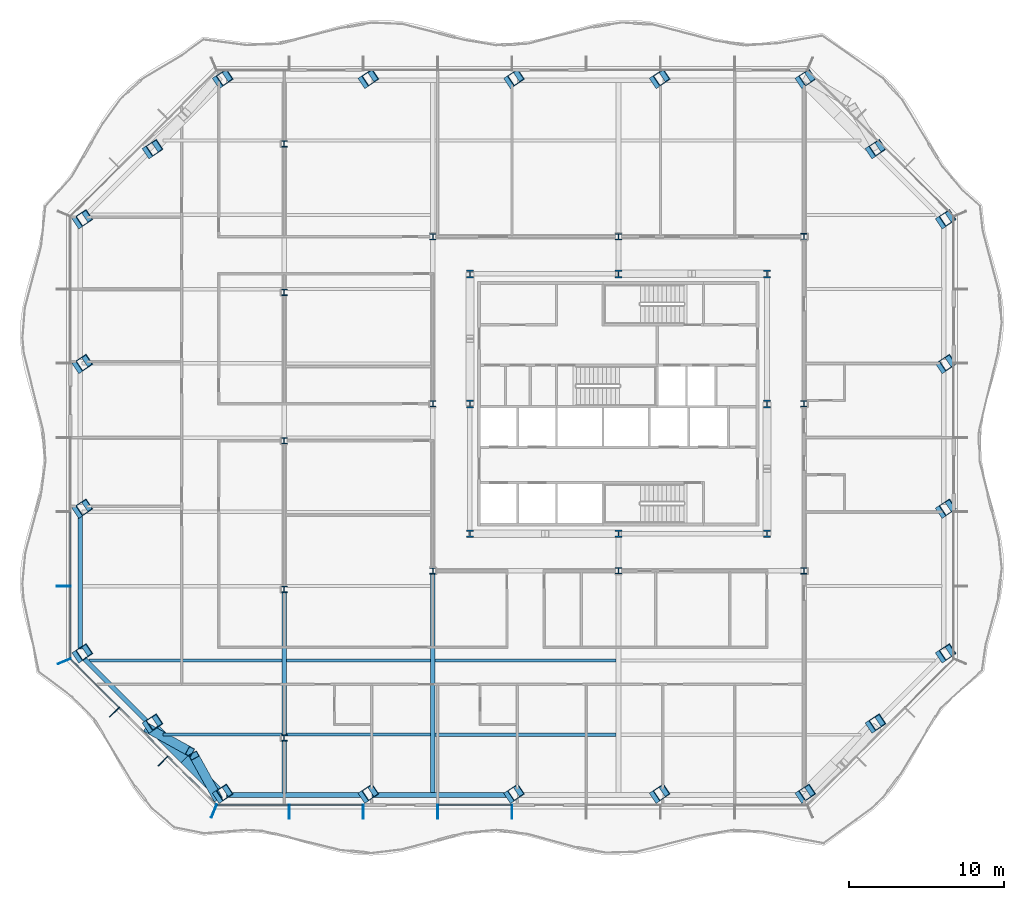
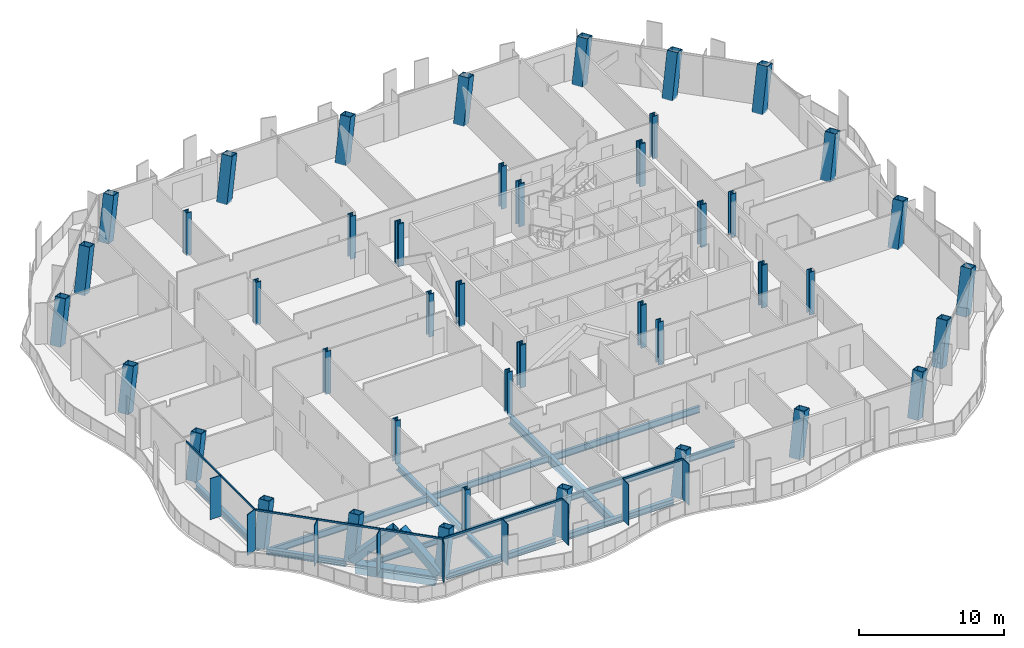
# One storey, part 1 of 19: 43 columns, 19 members, 15 beams, 3 elements without a shape of their own.
"""IFC4 building model written with IfcOpenShell, lengths in metres."""

from ifc_helpers import new_model, si_unit, direction, frame, origin, origin_2d, place, context, subcontext, project, spatial, rectangle, hollow_rectangle, i_section, extrude, clip, halfspace, material, material_profile, profile_set, type_object, element, aggregate, save


model = new_model("IFC4")

# Units and contexts
model_context = context("Model", 3, precision=1e-05, world=origin(), true_north=direction((0.0, 1.0)))
body_context = subcontext(model_context, "Body", "Model", "MODEL_VIEW")
ifc_project = project(units=[si_unit("LENGTHUNIT", "METRE"), si_unit("AREAUNIT", "SQUARE_METRE"), si_unit("VOLUMEUNIT", "CUBIC_METRE"), si_unit("PLANEANGLEUNIT", "RADIAN"), si_unit("MASSUNIT", "GRAM", prefix="KILO")], contexts=[model_context])

# Site, building, storey
site_placement = place(None, origin())
site = spatial("IfcSite", under=ifc_project, at=site_placement, CompositionType="ELEMENT")
building_placement = place(site_placement, origin())
building = spatial("IfcBuilding", under=site, at=building_placement, Name="Cairn Pilgrim Tower", CompositionType="ELEMENT")
storey_placement = place(building_placement, frame((0.0, 0.0, 90.60009765625)))
storey = spatial("IfcBuildingStorey", under=building, at=storey_placement, Name="L21", CompositionType="ELEMENT", Elevation=90.60009765625)

# Columns
ifc_material_1 = material(Name="Structural steel S460M", Category="steel")
ifc_material_profile_1 = material_profile(ifc_material_1, hollow_rectangle(XDim=0.800048828125, YDim=0.800048828125, WallThickness=0.050048828125, at=origin_2d()), Name="BOX 800x800x50")
ifc_profile_set_1 = profile_set([ifc_material_profile_1], Name="Structural steel S460M")
column_type_1 = type_object("IfcColumnType", Name="BOX 800x800x50", PredefinedType="COLUMN", material=ifc_profile_set_1)
for number, where, z_axis, x_axis, name in (
    (1, (-18.506591796875, -22.88623046875, -0.150146484375), (0.186190455954, 0.124126970636, 0.974641272096), (-0.554700196225, 0.832050294338, 0.0), "PC1-S1"),
    (2, (-9.093017578125, -22.88623046875, -0.150146484375), (0.186190455954, 0.124126970636, 0.974641272096), (-0.554700196225, 0.832050294338, 0.0), "PC1-S2"),
    (3, (0.320556640625, -22.88623046875, -0.150146484375), (0.186190455954, 0.124126970636, 0.974641272096), (-0.554700196225, 0.832050294338, 0.0), "PC1-S3"),
):
    element("IfcColumn", number, at=place(storey_placement, frame(where, z_axis=z_axis, x_axis=x_axis)), inside=storey, type_object=column_type_1, Name=name, PredefinedType="COLUMN", context=body_context, shape_type="Clipping", body=[
        clip(clip(extrude(hollow_rectangle(XDim=0.800048828125, YDim=0.800048828125, WallThickness=0.050048828125, at=origin_2d()), origin(), (0.0, 0.0, 1.0), 3.69384765625), halfspace(frame((0.0, 0.0, 0.023681640625), z_axis=(0.0, 0.0, 1.0), x_axis=(1.0, 0.0, 0.0)), True)), halfspace(frame((0.0, 0.0, 3.669677734375), z_axis=(0.0, 0.0, 1.0), x_axis=(1.0, 0.0, 0.0)), False)),
    ])
for number, where, z_axis, x_axis, name in (
    (4, (9.734130859375, -22.88623046875, -0.150146484375), (0.186254258756, 0.124125442847, 0.974629275947), (-0.554563898811, 0.832141143157, 0.0), "PC1-S4"),
    (5, (19.147705078125, -22.88623046875, -0.150146484375), (0.186254258756, 0.124125442847, 0.974629275947), (-0.554563898811, 0.832141143157, 0.0), "PC1-SE1"),
    (6, (23.68408203125, -18.349853515625, -0.150146484375), (0.186254258756, 0.124125442847, 0.974629275947), (-0.554563898811, 0.832141143157, 0.0), "PC1-SE2"),
    (7, (28.220458984375, -13.8134765625, -0.150146484375), (0.186254258756, 0.124125442847, 0.974629275947), (-0.554563898811, 0.832141143157, 0.0), "PC1-E1"),
    (8, (28.220458984375, -4.462158203125, -0.150146484375), (0.186252730337, 0.124190518205, 0.974621278051), (-0.554768328192, 0.832004868997, 0.0), "PC1-E2"),
    (9, (28.220458984375, 4.889404296875, -0.150146484375), (0.186254258756, 0.124125442847, 0.974629275947), (-0.554563898811, 0.832141143157, 0.0), "PC1-E3"),
    (10, (28.220458984375, 14.240966796875, -0.150146484375), (0.186254258756, 0.124125442847, 0.974629275947), (-0.554563898811, 0.832141143157, 0.0), "PC1-NE1"),
    (11, (23.68408203125, 18.77734375, -0.150146484375), (0.186254258756, 0.124125442847, 0.974629275947), (-0.554563898811, 0.832141143157, 0.0), "PC1-NE2"),
    (12, (19.147705078125, 23.313720703125, -0.150146484375), (0.186254258756, 0.124125442847, 0.974629275947), (-0.554563898811, 0.832141143157, 0.0), "PC1-N1"),
    (13, (9.734130859375, 23.313720703125, -0.150146484375), (0.186254258756, 0.124125442847, 0.974629275947), (-0.554563898811, 0.832141143157, 0.0), "PC1-N2"),
):
    element("IfcColumn", number, at=place(storey_placement, frame(where, z_axis=z_axis, x_axis=x_axis)), inside=storey, type_object=column_type_1, Name=name, PredefinedType="COLUMN", context=body_context, shape_type="Clipping", body=[
        clip(clip(extrude(hollow_rectangle(XDim=0.800048828125, YDim=0.800048828125, WallThickness=0.050048828125, at=origin_2d()), origin(), (0.0, 0.0, 1.0), 3.69384765625), halfspace(frame((0.0, 0.0, 0.023681640625), z_axis=(0.0, 0.0, 1.0), x_axis=(1.0, 0.0, 0.0)), True)), halfspace(frame((0.0, 0.0, 3.669921875), z_axis=(0.0, 0.0, 1.0), x_axis=(1.0, 0.0, 0.0)), False)),
    ])
for number, where, z_axis, x_axis, name in (
    (14, (0.320556640625, 23.313720703125, -0.150146484375), (0.186190455954, 0.124126970636, 0.974641272096), (-0.554700196225, 0.832050294338, 0.0), "PC1-N3"),
    (15, (-9.093017578125, 23.313720703125, -0.150146484375), (0.186190455954, 0.124126970636, 0.974641272096), (-0.554700196225, 0.832050294338, 0.0), "PC1-N4"),
    (16, (-18.506591796875, 23.313720703125, -0.150146484375), (0.186190455954, 0.124126970636, 0.974641272096), (-0.554700196225, 0.832050294338, 0.0), "PC1-NW1"),
):
    element("IfcColumn", number, at=place(storey_placement, frame(where, z_axis=z_axis, x_axis=x_axis)), inside=storey, type_object=column_type_1, Name=name, PredefinedType="COLUMN", context=body_context, shape_type="Clipping", body=[
        clip(clip(extrude(hollow_rectangle(XDim=0.800048828125, YDim=0.800048828125, WallThickness=0.050048828125, at=origin_2d()), origin(), (0.0, 0.0, 1.0), 3.69384765625), halfspace(frame((0.0, 0.0, 0.023681640625), z_axis=(0.0, 0.0, 1.0), x_axis=(1.0, 0.0, 0.0)), True)), halfspace(frame((0.0, 0.0, 3.669677734375), z_axis=(0.0, 0.0, 1.0), x_axis=(1.0, 0.0, 0.0)), False)),
    ])
for number, where, z_axis, x_axis, name in (
    (17, (-23.043212890625, 18.77734375, -0.150146484375), (0.186254258756, 0.124125442847, 0.974629275947), (-0.554563898811, 0.832141143157, 0.0), "PC1-NW2"),
    (18, (-27.57958984375, 14.240966796875, -0.150146484375), (0.186254258756, 0.124125442847, 0.974629275947), (-0.554563898811, 0.832141143157, 0.0), "PC1-W1"),
    (19, (-27.57958984375, 4.889404296875, -0.150146484375), (0.186254258756, 0.124125442847, 0.974629275947), (-0.554563898811, 0.832141143157, 0.0), "PC1-W2"),
    (20, (-27.57958984375, -4.462158203125, -0.150146484375), (0.186252730337, 0.124190518205, 0.974621278051), (-0.554768328192, 0.832004868997, 0.0), "PC1-W3"),
    (21, (-27.57958984375, -13.8134765625, -0.150146484375), (0.186254258756, 0.124125442847, 0.974629275947), (-0.554563898811, 0.832141143157, 0.0), "PC1-SW1"),
    (22, (-23.043212890625, -18.349853515625, -0.150146484375), (0.186254258756, 0.124125442847, 0.974629275947), (-0.554563898811, 0.832141143157, 0.0), "PC1-SW2"),
):
    element("IfcColumn", number, at=place(storey_placement, frame(where, z_axis=z_axis, x_axis=x_axis)), inside=storey, type_object=column_type_1, Name=name, PredefinedType="COLUMN", context=body_context, shape_type="Clipping", body=[
        clip(clip(extrude(hollow_rectangle(XDim=0.800048828125, YDim=0.800048828125, WallThickness=0.050048828125, at=origin_2d()), origin(), (0.0, 0.0, 1.0), 3.69384765625), halfspace(frame((0.0, 0.0, 0.023681640625), z_axis=(0.0, 0.0, 1.0), x_axis=(1.0, 0.0, 0.0)), True)), halfspace(frame((0.0, 0.0, 3.669921875), z_axis=(0.0, 0.0, 1.0), x_axis=(1.0, 0.0, 0.0)), False)),
    ])
ifc_material_profile_2 = material_profile(ifc_material_1, i_section(OverallWidth=0.408935546875, OverallDepth=0.425048828125, WebThickness=0.03271484375, FlangeThickness=0.052490234375, FilletRadius=0.014892578125, at=origin_2d()), Name="HD 400x421")
ifc_profile_set_2 = profile_set([ifc_material_profile_2], Name="Structural steel S460M")
column_type_2 = type_object("IfcColumnType", Name="HD 400x421", PredefinedType="COLUMN", material=ifc_profile_set_2)
for number, where, z_axis, x_axis, name in (
    (23, (-4.800048828125, -8.39990234375, -0.150146484375), (0.0, 0.0, 1.0), (1.0, 0.0, 0.0), "IC-1"),
    (24, (7.199951171875, -8.39990234375, -0.150146484375), (0.0, 0.0, 1.0), (1.0, 0.0, 0.0), "IC-2"),
    (25, (19.199951171875, -8.39990234375, -0.150146484375), (0.0, 0.0, 1.0), (1.0, 0.0, 0.0), "IC-3"),
    (26, (-4.800048828125, 2.39990234375, -0.150146484375), (0.0, 0.0, 1.0), (1.0, 0.0, 0.0), "IC-4"),
    (27, (19.199951171875, 2.39990234375, -0.150146484375), (0.0, 0.0, 1.0), (1.0, 0.0, 0.0), "IC-5"),
    (28, (-4.800048828125, 13.199951171875, -0.150146484375), (0.0, 0.0, 1.0), (1.0, 0.0, 0.0), "IC-6"),
    (29, (7.199951171875, 13.199951171875, -0.150146484375), (0.0, 0.0, 1.0), (1.0, 0.0, 0.0), "IC-7"),
    (30, (19.199951171875, 13.199951171875, -0.150146484375), (0.0, 0.0, 1.0), (1.0, 0.0, 0.0), "IC-8"),
    (31, (-14.39990234375, -19.199951171875, -0.150146484375), (0.0, 0.0, 1.0), (1.0, 0.0, 0.0), "WC-WW-4"),
    (32, (-14.39990234375, -9.60009765625, -0.150146484375), (0.0, 0.0, 1.0), (1.0, 0.0, 0.0), "WC-WW-2"),
    (33, (-14.39990234375, 0.0, -0.150146484375), (0.0, 0.0, 1.0), (1.0, 0.0, 0.0), "WC-WW+0"),
    (34, (-14.39990234375, 9.60009765625, -0.150146484375), (0.0, 0.0, 1.0), (1.0, 0.0, 0.0), "WC-WW+2"),
    (35, (-14.39990234375, 19.199951171875, -0.150146484375), (0.0, 0.0, 1.0), (1.0, 0.0, 0.0), "WC-WW+4"),
):
    element("IfcColumn", number, at=place(storey_placement, frame(where, z_axis=z_axis, x_axis=x_axis)), inside=storey, type_object=column_type_2, Name=name, PredefinedType="COLUMN", context=body_context, shape_type="SweptSolid", body=[
        extrude(i_section(OverallWidth=0.408935546875, OverallDepth=0.425048828125, WebThickness=0.03271484375, FlangeThickness=0.052490234375, FilletRadius=0.014892578125, at=origin_2d()), origin(), (0.0, 0.0, 1.0), 3.60009765625),
    ])
ifc_material_profile_3 = material_profile(ifc_material_1, i_section(OverallWidth=0.43701171875, OverallDepth=0.513916015625, WebThickness=0.060546875, FlangeThickness=0.096923828125, FilletRadius=0.014892578125, at=origin_2d()), Name="HD 400x818")
ifc_profile_set_3 = profile_set([ifc_material_profile_3], Name="Structural steel S460M")
column_type_3 = type_object("IfcColumnType", Name="HD 400x818", PredefinedType="COLUMN", material=ifc_profile_set_3)
for number, where, z_axis, x_axis, name in (
    (36, (-2.39990234375, -6.0, -0.150146484375), (0.0, 0.0, 1.0), (1.0, 0.0, 0.0), "KC-1"),
    (37, (7.199951171875, -6.0, -0.150146484375), (0.0, 0.0, 1.0), (1.0, 0.0, 0.0), "KC-2"),
    (38, (16.800048828125, -6.0, -0.150146484375), (0.0, 0.0, 1.0), (1.0, 0.0, 0.0), "KC-3"),
    (39, (-2.39990234375, 2.39990234375, -0.150146484375), (0.0, 0.0, 1.0), (1.0, 0.0, 0.0), "KC-4"),
    (40, (16.800048828125, 2.39990234375, -0.150146484375), (0.0, 0.0, 1.0), (1.0, 0.0, 0.0), "KC-5"),
    (41, (-2.39990234375, 10.800048828125, -0.150146484375), (0.0, 0.0, 1.0), (1.0, 0.0, 0.0), "KC-6"),
    (42, (7.199951171875, 10.800048828125, -0.150146484375), (0.0, 0.0, 1.0), (1.0, 0.0, 0.0), "KC-7"),
    (43, (16.800048828125, 10.800048828125, -0.150146484375), (0.0, 0.0, 1.0), (1.0, 0.0, 0.0), "KC-8"),
):
    element("IfcColumn", number, at=place(storey_placement, frame(where, z_axis=z_axis, x_axis=x_axis)), inside=storey, type_object=column_type_3, Name=name, PredefinedType="COLUMN", context=body_context, shape_type="SweptSolid", body=[
        extrude(i_section(OverallWidth=0.43701171875, OverallDepth=0.513916015625, WebThickness=0.060546875, FlangeThickness=0.096923828125, FilletRadius=0.014892578125, at=origin_2d()), origin(), (0.0, 0.0, 1.0), 3.60009765625),
    ])

# Members
ifc_material_profile_4 = material_profile(ifc_material_1, hollow_rectangle(XDim=0.60009765625, YDim=0.60009765625, WallThickness=0.034912109375, at=origin_2d()), Name="BOX 600x600x35")
ifc_profile_set_4 = profile_set([ifc_material_profile_4], Name="Structural steel S460M")
member_type_1 = type_object("IfcMemberType", Name="BOX 600x600x35 BRACE", PredefinedType="BRACE", material=ifc_profile_set_4)
for number, where, z_axis, x_axis, name in (
    (44, (-23.173828125, -18.593994140625, 0.14990234375), (0.666428618308, -0.369415444826, 0.647614951822), (0.484817681305, 0.874615238773, 0.0), "XB-SW2-S1-1"),
    (45, (-18.750732421875, -23.01708984375, 0.14990234375), (-0.369415444826, 0.666428618308, 0.647614951822), (-0.874615238773, -0.484817681305, 0.0), "XB-SW2-S1-2"),
):
    element("IfcMember", number, at=place(storey_placement, frame(where, z_axis=z_axis, x_axis=x_axis)), inside=storey, type_object=member_type_1, Name=name, PredefinedType="BRACE", context=body_context, shape_type="SweptSolid", body=[
        extrude(hollow_rectangle(XDim=0.60009765625, YDim=0.60009765625, WallThickness=0.034912109375, at=origin_2d()), origin(), (0.0, 0.0, 1.0), 4.022705078125),
    ])

# Beams
ifc_material_2 = material(Name="Structural steel S355J2", Category="steel")
ifc_material_profile_5 = material_profile(ifc_material_2, hollow_rectangle(XDim=0.699951171875, YDim=0.800048828125, WallThickness=0.0400390625, at=origin_2d()), Name="BOX 700x800x40")
ifc_profile_set_5 = profile_set([ifc_material_profile_5], Name="Structural steel S355J2")
beam_type_1 = type_object("IfcBeamType", Name="BOX 700x800x40 RING GIRDER", PredefinedType="SPANDREL", material=ifc_profile_set_5)
beam_1_placement = place(storey_placement, frame((-22.78857421875, -18.6044921875, -0.550048828125), z_axis=(0.707106781187, -0.707106781187, 0.0), x_axis=(0.707106781187, 0.707106781187, 0.0)))
element("IfcBeam", 46, at=beam_1_placement, inside=storey, type_object=beam_type_1, Name="RG1-SW2-S1-1", PredefinedType="SPANDREL", context=body_context, shape_type="SweptSolid", body=[
    extrude(hollow_rectangle(XDim=0.699951171875, YDim=0.800048828125, WallThickness=0.0400390625, at=origin_2d()), origin(), (0.0, 0.0, 1.0), 2.772216796875),
])
beam_2_placement = place(storey_placement, frame((-20.828369140625, -20.564697265625, -0.550048828125), z_axis=(0.707106781187, -0.707106781187, 0.0), x_axis=(0.707106781187, 0.707106781187, 0.0)))
element("IfcBeam", 47, at=beam_2_placement, inside=storey, type_object=beam_type_1, Name="RG1-SW2-S1-2", PredefinedType="SPANDREL", context=body_context, shape_type="SweptSolid", body=[
    extrude(hollow_rectangle(XDim=0.699951171875, YDim=0.800048828125, WallThickness=0.0400390625, at=origin_2d()), origin(), (0.0, 0.0, 1.0), 2.92333984375),
])

# Curtain wall, members
ifc_material_3 = material(Name="Aluminium alloy 6063-T6 bronze anodised with Bronze tinted laminated low-E glass 8+16+8.8", Category="aluminium")
curtain_wall_type_1 = type_object("IfcCurtainWallType", Name="TOWER STICK CURTAIN WALL NS", PredefinedType="NOTDEFINED", material=ifc_material_3)
curtain_wall_1_placement = place(storey_placement, origin())
curtain_wall_1 = element("IfcCurtainWall", 48, at=curtain_wall_1_placement, inside=storey, type_object=curtain_wall_type_1, Name="Tower Stick Curtain Wall Ns S", PredefinedType="NOTDEFINED")
ifc_material_4 = material(Name="Aluminium alloy 6063-T6 bronze anodised", Category="aluminium")
ifc_material_profile_6 = material_profile(ifc_material_4, rectangle(XDim=0.89990234375, YDim=0.06005859375, at=origin_2d()), Name="FIN MULLION 60x900 BRONZE")
ifc_profile_set_6 = profile_set([ifc_material_profile_6], Name="Aluminium alloy 6063-T6 bronze anodised")
member_type_2 = type_object("IfcMemberType", Name="FIN MULLION 60x900 BRONZE", PredefinedType="MULLION", material=ifc_profile_set_6)
member_1_placement = place(storey_placement, frame((-18.936767578125, -23.92431640625, 0.0), z_axis=(0.0, 0.0, 1.0), x_axis=(-0.382683432365, -0.923879532511, 0.0)))
member_1 = element("IfcMember", 49, at=member_1_placement, type_object=member_type_2, Name="Fin mullion S1", PredefinedType="MULLION", context=body_context, shape_type="SweptSolid", body=[
    extrude(rectangle(XDim=0.89990234375, YDim=0.06005859375, at=origin_2d()), origin(), (0.0, 0.0, 1.0), 3.449951171875),
])
member_2_placement = place(storey_placement, frame((-14.07958984375, -23.956298828125, 0.0), z_axis=(0.0, 0.0, 1.0), x_axis=(0.0, -1.0, 0.0)))
member_2 = element("IfcMember", 50, at=member_2_placement, type_object=member_type_2, Name="Fin mullion S2", PredefinedType="MULLION", context=body_context, shape_type="SweptSolid", body=[
    extrude(rectangle(XDim=0.89990234375, YDim=0.06005859375, at=origin_2d()), origin(), (0.0, 0.0, 1.0), 3.449951171875),
])
member_3_placement = place(storey_placement, frame((-9.279541015625, -23.956298828125, 0.0), z_axis=(0.0, 0.0, 1.0), x_axis=(0.0, -1.0, 0.0)))
member_3 = element("IfcMember", 51, at=member_3_placement, type_object=member_type_2, Name="Fin mullion S3", PredefinedType="MULLION", context=body_context, shape_type="SweptSolid", body=[
    extrude(rectangle(XDim=0.89990234375, YDim=0.06005859375, at=origin_2d()), origin(), (0.0, 0.0, 1.0), 3.449951171875),
])
member_4_placement = place(storey_placement, frame((-4.4794921875, -23.956298828125, 0.0), z_axis=(0.0, 0.0, 1.0), x_axis=(0.0, -1.0, 0.0)))
member_4 = element("IfcMember", 52, at=member_4_placement, type_object=member_type_2, Name="Fin mullion S4", PredefinedType="MULLION", context=body_context, shape_type="SweptSolid", body=[
    extrude(rectangle(XDim=0.89990234375, YDim=0.06005859375, at=origin_2d()), origin(), (0.0, 0.0, 1.0), 3.449951171875),
])
member_5_placement = place(storey_placement, frame((0.320556640625, -23.956298828125, 0.0), z_axis=(0.0, 0.0, 1.0), x_axis=(0.0, -1.0, 0.0)))
member_5 = element("IfcMember", 53, at=member_5_placement, type_object=member_type_2, Name="Fin mullion S5", PredefinedType="MULLION", context=body_context, shape_type="SweptSolid", body=[
    extrude(rectangle(XDim=0.89990234375, YDim=0.06005859375, at=origin_2d()), origin(), (0.0, 0.0, 1.0), 3.449951171875),
])

# Curtain wall, member
curtain_wall_type_2 = type_object("IfcCurtainWallType", Name="TOWER STICK CURTAIN WALL EW", PredefinedType="NOTDEFINED", material=ifc_material_3)
curtain_wall_2_placement = place(storey_placement, origin())
curtain_wall_2 = element("IfcCurtainWall", 54, at=curtain_wall_2_placement, inside=storey, type_object=curtain_wall_type_2, Name="Tower Stick Curtain Wall Ew W", PredefinedType="NOTDEFINED")
member_6_placement = place(storey_placement, frame((-28.6494140625, -9.38623046875, 0.0), z_axis=(0.0, 0.0, 1.0), x_axis=(-1.0, 0.0, 0.0)))
member_6 = element("IfcMember", 55, at=member_6_placement, type_object=member_type_2, Name="Fin mullion W6", PredefinedType="MULLION", context=body_context, shape_type="SweptSolid", body=[
    extrude(rectangle(XDim=0.89990234375, YDim=0.06005859375, at=origin_2d()), origin(), (0.0, 0.0, 1.0), 3.449951171875),
])

# Curtain wall, members
curtain_wall_type_3 = type_object("IfcCurtainWallType", Name="CHAMFER CORNER CURTAIN WALL", PredefinedType="NOTDEFINED", material=ifc_material_3)
curtain_wall_3_placement = place(storey_placement, origin())
curtain_wall_3 = element("IfcCurtainWall", 56, at=curtain_wall_3_placement, inside=storey, type_object=curtain_wall_type_3, Name="Chamfer Corner Curtain Wall SW", PredefinedType="NOTDEFINED")
member_7_placement = place(storey_placement, frame((-28.617431640625, -14.243408203125, 0.0), z_axis=(0.0, 0.0, 1.0), x_axis=(-0.923879532511, -0.382683432365, 0.0)))
member_7 = element("IfcMember", 57, at=member_7_placement, type_object=member_type_2, Name="Fin mullion SW1", PredefinedType="MULLION", context=body_context, shape_type="SweptSolid", body=[
    extrude(rectangle(XDim=0.89990234375, YDim=0.06005859375, at=origin_2d()), origin(), (0.0, 0.0, 1.0), 3.449951171875),
])
member_8_placement = place(storey_placement, frame((-25.375244140625, -17.531005859375, 0.0), z_axis=(0.0, 0.0, 1.0), x_axis=(-0.707106781187, -0.707106781187, 0.0)))
member_8 = element("IfcMember", 58, at=member_8_placement, type_object=member_type_2, Name="Fin mullion SW2", PredefinedType="MULLION", context=body_context, shape_type="SweptSolid", body=[
    extrude(rectangle(XDim=0.89990234375, YDim=0.06005859375, at=origin_2d()), origin(), (0.0, 0.0, 1.0), 3.449951171875),
])
member_9_placement = place(storey_placement, frame((-22.22412109375, -20.68212890625, 0.0), z_axis=(0.0, 0.0, 1.0), x_axis=(-0.707106781187, -0.707106781187, 0.0)))
member_9 = element("IfcMember", 59, at=member_9_placement, type_object=member_type_2, Name="Fin mullion SW3", PredefinedType="MULLION", context=body_context, shape_type="SweptSolid", body=[
    extrude(rectangle(XDim=0.89990234375, YDim=0.06005859375, at=origin_2d()), origin(), (0.0, 0.0, 1.0), 3.449951171875),
])

# Beams
ifc_material_profile_7 = material_profile(ifc_material_2, i_section(OverallWidth=0.300048828125, OverallDepth=0.39990234375, WebThickness=0.013427734375, FlangeThickness=0.02392578125, FilletRadius=0.027099609375, at=origin_2d()), Name="HEB 400")
ifc_profile_set_7 = profile_set([ifc_material_profile_7], Name="Structural steel S355J2")
beam_type_2 = type_object("IfcBeamType", Name="HEB 400 GIRDER", PredefinedType="BEAM", material=ifc_profile_set_7)
beam_3_placement = place(storey_placement, frame((-14.39990234375, -22.766357421875, -0.35009765625), z_axis=(0.0, 1.0, 0.0), x_axis=(-1.0, 0.0, 0.0)))
element("IfcBeam", 60, at=beam_3_placement, inside=storey, type_object=beam_type_2, Name="PG1-1", PredefinedType="BEAM", context=body_context, shape_type="SweptSolid", body=[
    extrude(i_section(OverallWidth=0.300048828125, OverallDepth=0.39990234375, WebThickness=0.013427734375, FlangeThickness=0.02392578125, FilletRadius=0.027099609375, at=origin_2d()), origin(), (0.0, 0.0, 1.0), 3.36181640625),
])
ifc_material_profile_8 = material_profile(ifc_material_2, i_section(OverallWidth=0.300048828125, OverallDepth=0.5, WebThickness=0.014404296875, FlangeThickness=0.028076171875, FilletRadius=0.027099609375, at=origin_2d()), Name="HEB 500")
ifc_profile_set_8 = profile_set([ifc_material_profile_8], Name="Structural steel S355J2")
beam_type_3 = type_object("IfcBeamType", Name="HEB 500 GIRDER", PredefinedType="BEAM", material=ifc_profile_set_8)
beam_4_placement = place(storey_placement, frame((-14.39990234375, -18.99560546875, -0.400146484375), z_axis=(0.0, 1.0, 0.0), x_axis=(-1.0, 0.0, 0.0)))
element("IfcBeam", 61, at=beam_4_placement, inside=storey, type_object=beam_type_3, Name="PG1-2", PredefinedType="BEAM", context=body_context, shape_type="SweptSolid", body=[
    extrude(i_section(OverallWidth=0.300048828125, OverallDepth=0.5, WebThickness=0.014404296875, FlangeThickness=0.028076171875, FilletRadius=0.027099609375, at=origin_2d()), origin(), (0.0, 0.0, 1.0), 9.191162109375),
])
ifc_material_profile_9 = material_profile(ifc_material_2, i_section(OverallWidth=0.300048828125, OverallDepth=0.5, WebThickness=0.014404296875, FlangeThickness=0.028076171875, FilletRadius=0.027099609375, at=origin_2d()), Name="HEB 500")
ifc_profile_set_9 = profile_set([ifc_material_profile_9], Name="Structural steel S355J2")
beam_type_4 = type_object("IfcBeamType", Name="HEB 500 RING GIRDER", PredefinedType="SPANDREL", material=ifc_profile_set_9)
for number, where, z_axis, x_axis, name in (
    (62, (-18.146728515625, -22.88623046875, -0.400146484375), (1.0, 0.0, 0.0), (0.0, 1.0, 0.0), "RG1-S1-S2"),
    (63, (-8.733154296875, -22.88623046875, -0.400146484375), (1.0, 0.0, 0.0), (0.0, 1.0, 0.0), "RG1-S2-S3"),
):
    element("IfcBeam", number, at=place(storey_placement, frame(where, z_axis=z_axis, x_axis=x_axis)), inside=storey, type_object=beam_type_4, Name=name, PredefinedType="SPANDREL", context=body_context, shape_type="SweptSolid", body=[
        extrude(i_section(OverallWidth=0.300048828125, OverallDepth=0.5, WebThickness=0.014404296875, FlangeThickness=0.028076171875, FilletRadius=0.027099609375, at=origin_2d()), origin(), (0.0, 0.0, 1.0), 8.693603515625),
    ])
beam_5_placement = place(storey_placement, frame((-27.57958984375, -4.822021484375, -0.400146484375), z_axis=(0.0, -1.0, 0.0), x_axis=(1.0, 0.0, 0.0)))
element("IfcBeam", 64, at=beam_5_placement, inside=storey, type_object=beam_type_4, Name="RG1-W3-SW1", PredefinedType="SPANDREL", context=body_context, shape_type="SweptSolid", body=[
    extrude(i_section(OverallWidth=0.300048828125, OverallDepth=0.5, WebThickness=0.014404296875, FlangeThickness=0.028076171875, FilletRadius=0.027099609375, at=origin_2d()), origin(), (0.0, 0.0, 1.0), 8.631591796875),
])
beam_6_placement = place(storey_placement, frame((-27.324951171875, -14.068115234375, -0.400146484375), z_axis=(0.707106781187, -0.707106781187, 0.0), x_axis=(0.707106781187, 0.707106781187, 0.0)))
element("IfcBeam", 65, at=beam_6_placement, inside=storey, type_object=beam_type_4, Name="RG1-SW1-SW2", PredefinedType="SPANDREL", context=body_context, shape_type="SweptSolid", body=[
    extrude(i_section(OverallWidth=0.300048828125, OverallDepth=0.5, WebThickness=0.014404296875, FlangeThickness=0.028076171875, FilletRadius=0.027099609375, at=origin_2d()), origin(), (0.0, 0.0, 1.0), 5.695556640625),
])
ifc_material_profile_10 = material_profile(ifc_material_2, i_section(OverallWidth=0.300048828125, OverallDepth=0.699951171875, WebThickness=0.01708984375, FlangeThickness=0.031982421875, FilletRadius=0.027099609375, at=origin_2d()), Name="HEB 700")
ifc_profile_set_10 = profile_set([ifc_material_profile_10], Name="Structural steel S355J2")
beam_type_5 = type_object("IfcBeamType", Name="HEB 700 GIRDER", PredefinedType="BEAM", material=ifc_profile_set_10)
beam_7_placement = place(storey_placement, frame((-4.800048828125, -22.766357421875, -0.5), z_axis=(0.0, 1.0, 0.0), x_axis=(-1.0, 0.0, 0.0)))
element("IfcBeam", 66, at=beam_7_placement, inside=storey, type_object=beam_type_5, Name="PG2-1", PredefinedType="BEAM", context=body_context, shape_type="SweptSolid", body=[
    extrude(i_section(OverallWidth=0.300048828125, OverallDepth=0.699951171875, WebThickness=0.01708984375, FlangeThickness=0.031982421875, FilletRadius=0.027099609375, at=origin_2d()), origin(), (0.0, 0.0, 1.0), 14.161865234375),
])
ifc_material_profile_11 = material_profile(ifc_material_2, i_section(OverallWidth=0.18994140625, OverallDepth=0.449951171875, WebThickness=0.009521484375, FlangeThickness=0.0146484375, FilletRadius=0.02099609375, at=origin_2d()), Name="IPE 450")
ifc_profile_set_11 = profile_set([ifc_material_profile_11], Name="Structural steel S355J2")
beam_type_6 = type_object("IfcBeamType", Name="IPE 450 SECONDARY BEAM", PredefinedType="JOIST", material=ifc_profile_set_11)
beam_8_placement = place(storey_placement, frame((-22.224609375, -18.986328125, -0.375), z_axis=(1.0, 0.0, 0.0), x_axis=(0.0, 1.0, 0.0)))
element("IfcBeam", 67, at=beam_8_placement, inside=storey, type_object=beam_type_6, Name="SB1-1", PredefinedType="JOIST", context=body_context, shape_type="SweptSolid", body=[
    extrude(i_section(OverallWidth=0.18994140625, OverallDepth=0.449951171875, WebThickness=0.009521484375, FlangeThickness=0.0146484375, FilletRadius=0.02099609375, at=origin_2d()), origin(), (0.0, 0.0, 1.0), 7.674560546875),
])
ifc_material_profile_12 = material_profile(ifc_material_2, i_section(OverallWidth=0.199951171875, OverallDepth=0.5, WebThickness=0.01025390625, FlangeThickness=0.01611328125, FilletRadius=0.02099609375, at=origin_2d()), Name="IPE 500")
ifc_profile_set_12 = profile_set([ifc_material_profile_12], Name="Structural steel S355J2")
beam_type_7 = type_object("IfcBeamType", Name="IPE 500 SECONDARY BEAM", PredefinedType="JOIST", material=ifc_profile_set_12)
for number, where, z_axis, x_axis, name in (
    (68, (-14.25, -18.986328125, -0.400146484375), (1.0, 0.0, 0.0), (0.0, 1.0, 0.0), "SB1-2"),
    (69, (-14.25, -14.186279296875, -0.400146484375), (1.0, 0.0, 0.0), (0.0, 1.0, 0.0), "SB2-2"),
):
    element("IfcBeam", number, at=place(storey_placement, frame(where, z_axis=z_axis, x_axis=x_axis)), inside=storey, type_object=beam_type_7, Name=name, PredefinedType="JOIST", context=body_context, shape_type="SweptSolid", body=[
        extrude(i_section(OverallWidth=0.199951171875, OverallDepth=0.5, WebThickness=0.01025390625, FlangeThickness=0.01611328125, FilletRadius=0.02099609375, at=origin_2d()), origin(), (0.0, 0.0, 1.0), 9.300048828125),
    ])
ifc_material_profile_13 = material_profile(ifc_material_2, i_section(OverallWidth=0.2099609375, OverallDepth=0.550048828125, WebThickness=0.010986328125, FlangeThickness=0.01708984375, FilletRadius=0.02392578125, at=origin_2d()), Name="IPE 550")
ifc_profile_set_13 = profile_set([ifc_material_profile_13], Name="Structural steel S355J2")
beam_type_8 = type_object("IfcBeamType", Name="IPE 550 SECONDARY BEAM", PredefinedType="JOIST", material=ifc_profile_set_13)
beam_9_placement = place(storey_placement, frame((-4.64990234375, -18.986328125, -0.425048828125), z_axis=(1.0, 0.0, 0.0), x_axis=(0.0, 1.0, 0.0)))
element("IfcBeam", 70, at=beam_9_placement, inside=storey, type_object=beam_type_8, Name="SB1-3", PredefinedType="JOIST", context=body_context, shape_type="SweptSolid", body=[
    extrude(i_section(OverallWidth=0.2099609375, OverallDepth=0.550048828125, WebThickness=0.010986328125, FlangeThickness=0.01708984375, FilletRadius=0.02392578125, at=origin_2d()), origin(), (0.0, 0.0, 1.0), 11.699951171875),
])
beam_10_placement = place(storey_placement, frame((-27.024658203125, -14.186279296875, -0.425048828125), z_axis=(1.0, 0.0, 0.0), x_axis=(0.0, 1.0, 0.0)))
element("IfcBeam", 71, at=beam_10_placement, inside=storey, type_object=beam_type_8, Name="SB2-1", PredefinedType="JOIST", context=body_context, shape_type="SweptSolid", body=[
    extrude(i_section(OverallWidth=0.2099609375, OverallDepth=0.550048828125, WebThickness=0.010986328125, FlangeThickness=0.01708984375, FilletRadius=0.02392578125, at=origin_2d()), origin(), (0.0, 0.0, 1.0), 12.474609375),
])
beam_11_placement = place(storey_placement, frame((-4.64990234375, -14.186279296875, -0.425048828125), z_axis=(1.0, 0.0, 0.0), x_axis=(0.0, 1.0, 0.0)))
element("IfcBeam", 72, at=beam_11_placement, inside=storey, type_object=beam_type_8, Name="SB2-3", PredefinedType="JOIST", context=body_context, shape_type="SweptSolid", body=[
    extrude(i_section(OverallWidth=0.2099609375, OverallDepth=0.550048828125, WebThickness=0.010986328125, FlangeThickness=0.01708984375, FilletRadius=0.02392578125, at=origin_2d()), origin(), (0.0, 0.0, 1.0), 11.699951171875),
])

# Member
ifc_material_profile_14 = material_profile(ifc_material_4, rectangle(XDim=0.080078125, YDim=0.14990234375, at=origin_2d()), Name="TRANSOM 80x150 BRONZE")
ifc_profile_set_14 = profile_set([ifc_material_profile_14], Name="Aluminium alloy 6063-T6 bronze anodised")
member_type_3 = type_object("IfcMemberType", Name="TRANSOM 80x150 BRONZE", PredefinedType="USERDEFINED", material=ifc_profile_set_14)
member_10_placement = place(storey_placement, frame((-18.73583984375, -23.536376953125, 3.375), z_axis=(1.0, 0.0, 0.0), x_axis=(0.0, 1.0, 0.0)))
member_10 = element("IfcMember", 73, at=member_10_placement, type_object=member_type_3, Name="Transom S1", ObjectType="TRANSOM", PredefinedType="USERDEFINED", context=body_context, shape_type="SweptSolid", body=[
    extrude(rectangle(XDim=0.080078125, YDim=0.14990234375, at=origin_2d()), origin(), (0.0, 0.0, 1.0), 4.626220703125),
])

member_11_placement = place(storey_placement, frame((-14.049560546875, -23.536376953125, 3.375), z_axis=(1.0, 0.0, 0.0), x_axis=(0.0, 1.0, 0.0)))
member_11 = element("IfcMember", 74, at=member_11_placement, type_object=member_type_3, Name="Transom S2", ObjectType="TRANSOM", PredefinedType="USERDEFINED", context=body_context, shape_type="SweptSolid", body=[
    extrude(rectangle(XDim=0.080078125, YDim=0.14990234375, at=origin_2d()), origin(), (0.0, 0.0, 1.0), 4.739990234375),
])

member_12_placement = place(storey_placement, frame((-4.449462890625, -23.536376953125, 3.375), z_axis=(1.0, 0.0, 0.0), x_axis=(0.0, 1.0, 0.0)))
member_12 = element("IfcMember", 75, at=member_12_placement, type_object=member_type_3, Name="Transom S4", ObjectType="TRANSOM", PredefinedType="USERDEFINED", context=body_context, shape_type="SweptSolid", body=[
    extrude(rectangle(XDim=0.080078125, YDim=0.14990234375, at=origin_2d()), origin(), (0.0, 0.0, 1.0), 4.739990234375),
])

aggregate(curtain_wall_1, [member_1, member_2, member_3, member_4, member_5, member_10, member_11, member_12])

member_13_placement = place(storey_placement, frame((-28.2294921875, -4.616455078125, 3.375), z_axis=(0.0, -1.0, 0.0), x_axis=(1.0, 0.0, 0.0)))
member_13 = element("IfcMember", 76, at=member_13_placement, type_object=member_type_3, Name="Transom W5", ObjectType="TRANSOM", PredefinedType="USERDEFINED", context=body_context, shape_type="SweptSolid", body=[
    extrude(rectangle(XDim=0.080078125, YDim=0.14990234375, at=origin_2d()), origin(), (0.0, 0.0, 1.0), 4.739990234375),
])

member_14_placement = place(storey_placement, frame((-28.2294921875, -9.416259765625, 3.375), z_axis=(0.0, -1.0, 0.0), x_axis=(1.0, 0.0, 0.0)))
member_14 = element("IfcMember", 77, at=member_14_placement, type_object=member_type_3, Name="Transom W6", ObjectType="TRANSOM", PredefinedType="USERDEFINED", context=body_context, shape_type="SweptSolid", body=[
    extrude(rectangle(XDim=0.080078125, YDim=0.14990234375, at=origin_2d()), origin(), (0.0, 0.0, 1.0), 4.62646484375),
])

aggregate(curtain_wall_2, [member_6, member_13, member_14])

member_15_placement = place(storey_placement, frame((-28.201171875, -14.111083984375, 3.375), z_axis=(0.707106781187, -0.707106781187, 0.0), x_axis=(0.707106781187, 0.707106781187, 0.0)))
member_15 = element("IfcMember", 78, at=member_15_placement, type_object=member_type_3, Name="Transom SW1", ObjectType="TRANSOM", PredefinedType="USERDEFINED", context=body_context, shape_type="SweptSolid", body=[
    extrude(rectangle(XDim=0.080078125, YDim=0.14990234375, at=origin_2d()), origin(), (0.0, 0.0, 1.0), 4.38623046875),
])

member_16_placement = place(storey_placement, frame((-25.05712890625, -17.255126953125, 3.375), z_axis=(0.707106781187, -0.707106781187, 0.0), x_axis=(0.707106781187, 0.707106781187, 0.0)))
member_16 = element("IfcMember", 79, at=member_16_placement, type_object=member_type_3, Name="Transom SW2", ObjectType="TRANSOM", PredefinedType="USERDEFINED", context=body_context, shape_type="SweptSolid", body=[
    extrude(rectangle(XDim=0.080078125, YDim=0.14990234375, at=origin_2d()), origin(), (0.0, 0.0, 1.0), 4.396728515625),
])

member_17_placement = place(storey_placement, frame((-21.906005859375, -20.40625, 3.375), z_axis=(0.707106781187, -0.707106781187, 0.0), x_axis=(0.707106781187, 0.707106781187, 0.0)))
member_17 = element("IfcMember", 80, at=member_17_placement, type_object=member_type_3, Name="Transom SW3", ObjectType="TRANSOM", PredefinedType="USERDEFINED", context=body_context, shape_type="SweptSolid", body=[
    extrude(rectangle(XDim=0.080078125, YDim=0.14990234375, at=origin_2d()), origin(), (0.0, 0.0, 1.0), 4.38671875),
])

aggregate(curtain_wall_3, [member_7, member_8, member_9, member_15, member_16, member_17])

save(model, "model.ifc")
